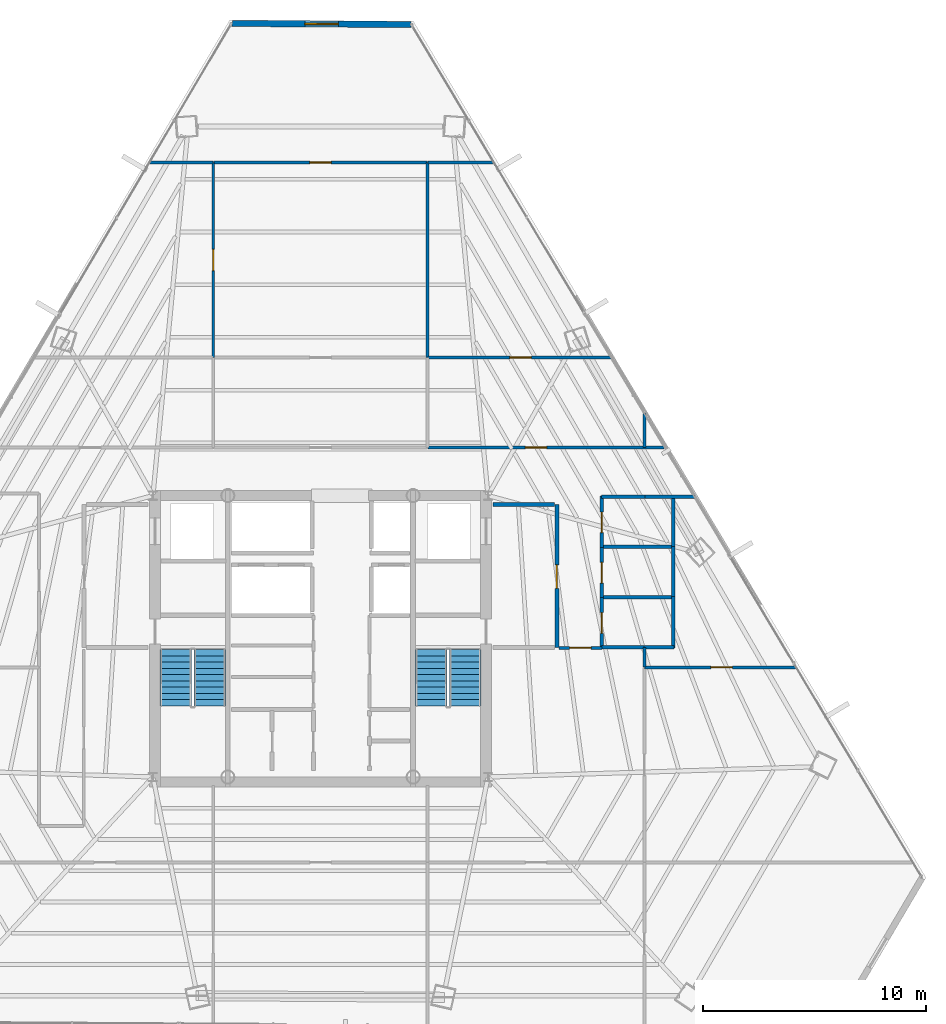
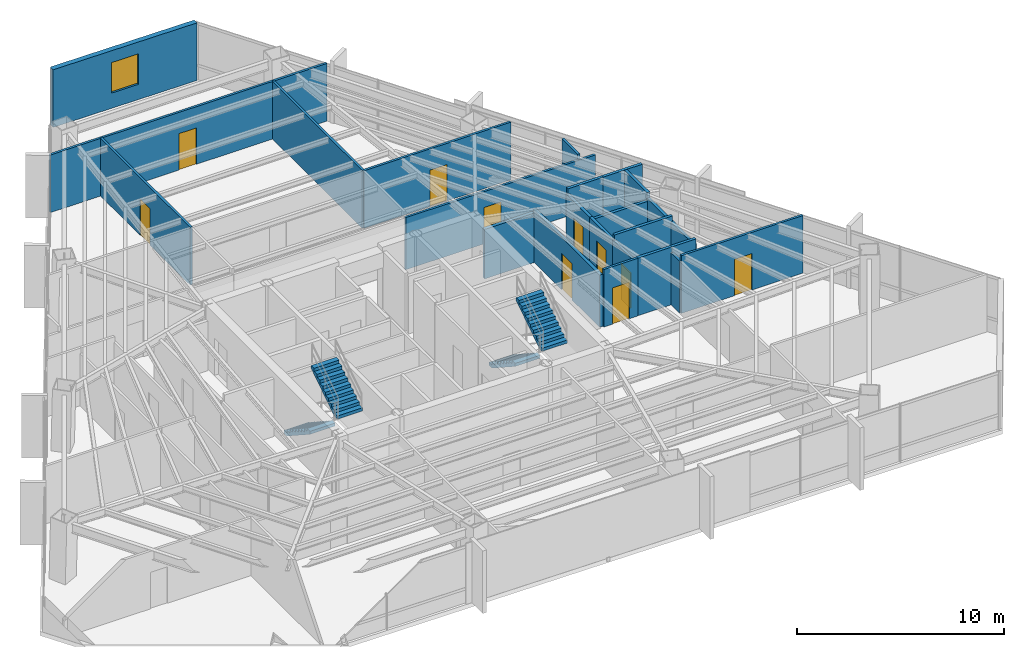
# One storey, part 37 of 41: 26 walls, 10 doors, 4 stair flights, 1 window, 11 openings, 2 elements without a shape of their own.
"""IFC4 building model written with IfcOpenShell, lengths in metres."""

import ifcopenshell
import ifcopenshell.guid

model = None  # the IFC model being written
_history = None  # IfcOwnerHistory: only IFC2X3 demands one
_inside = {}  # id of a spatial element -> (the spatial element, [elements in it])
_under = {}  # id of a project, library or spatial element -> (it, [spatial elements below it])
_declared = {}  # id of a project -> (the project, [libraries it declares])
_typed = {}  # id of a type object -> (the type object, [elements of that type])
_made_of = {}  # id of a material, layer set ... -> (it, [elements and type objects made of it])


def new_model(schema):
    """Start an empty IFC model of exactly this schema.

    Asked for "IFC4X3", IfcOpenShell would pick the latest addendum, in which some entities
    have other attributes; the version numbers below select the first issue.
    IFC2X3 requires an IfcOwnerHistory on every rooted entity: one is made here for all.
    """
    global model, _history
    if schema == "IFC4X3":
        model = ifcopenshell.file(schema_version=(4, 3, 0, 0))
    else:
        model = ifcopenshell.file(schema=schema)
    _inside.clear()
    _under.clear()
    _declared.clear()
    _typed.clear()
    _made_of.clear()
    _history = None
    if model.schema == "IFC2X3":
        org = make("IfcOrganization", Name="unknown")
        user = make(
            "IfcPersonAndOrganization",
            ThePerson=make("IfcPerson", FamilyName="unknown"),
            TheOrganization=org,
        )
        app = make(
            "IfcApplication",
            ApplicationDeveloper=org,
            Version="unknown",
            ApplicationFullName="unknown",
            ApplicationIdentifier="unknown",
        )
        _history = make(
            "IfcOwnerHistory",
            OwningUser=user,
            OwningApplication=app,
            ChangeAction="ADDED",
            CreationDate=0,
        )
    return model


def make(cls, **values):
    """One entity of the class cls with the attributes given. An attribute that is None is left unset."""
    return model.create_entity(
        cls, **{name: value for name, value in values.items() if value is not None}
    )


def rooted(cls, **values):
    """An entity with a GlobalId (a new one), such as an element, a storey or a relation."""
    return make(cls, GlobalId=ifcopenshell.guid.new(), OwnerHistory=_history, **values)


def si_unit(unit_type, name, prefix=None):
    """IfcSIUnit, for example si_unit("LENGTHUNIT", "METRE", prefix="MILLI")."""
    return make("IfcSIUnit", UnitType=unit_type, Prefix=prefix, Name=name)


def assignment(units):
    """IfcUnitAssignment: the units of a project."""
    return None if units is None else make("IfcUnitAssignment", Units=units)


def point(xyz):
    """IfcCartesianPoint."""
    return None if xyz is None else make("IfcCartesianPoint", Coordinates=xyz)


def direction(xyz):
    """IfcDirection."""
    return None if xyz is None else make("IfcDirection", DirectionRatios=xyz)


def frame(location, z_axis=None, x_axis=None):
    """IfcAxis2Placement3D, a coordinate frame: its origin and axes. An axis left out is left unset."""
    return make(
        "IfcAxis2Placement3D",
        Location=point(location),
        Axis=direction(z_axis),
        RefDirection=direction(x_axis),
    )


def frame_2d(location, x_axis=None):
    """IfcAxis2Placement2D, a coordinate frame in the plane: its origin and x axis."""
    return make(
        "IfcAxis2Placement2D", Location=point(location), RefDirection=direction(x_axis)
    )


def origin():
    """The frame at (0, 0, 0) with its axes left unset."""
    return frame((0.0, 0.0, 0.0))


def place(relative_to, where):
    """IfcLocalPlacement: puts the frame where relative to a parent placement (None: the world)."""
    return make(
        "IfcLocalPlacement", PlacementRelTo=relative_to, RelativePlacement=where
    )


def context(
    kind, dimensions, precision=None, world=None, true_north=None, identifier=None
):
    """IfcGeometricRepresentationContext, for example the 3D "Model" context."""
    return make(
        "IfcGeometricRepresentationContext",
        ContextIdentifier=identifier,
        ContextType=kind,
        CoordinateSpaceDimension=dimensions,
        Precision=precision,
        WorldCoordinateSystem=world,
        TrueNorth=true_north,
    )


def subcontext(parent, identifier, kind, view, scale=None):
    """IfcGeometricRepresentationSubContext, for example "Body" below "Model"."""
    return make(
        "IfcGeometricRepresentationSubContext",
        ContextIdentifier=identifier,
        ContextType=kind,
        ParentContext=parent,
        TargetScale=scale,
        TargetView=view,
    )


def project(units=None, contexts=None):
    """IfcProject with its units and contexts."""
    return rooted(
        "IfcProject",
        Name="project",
        RepresentationContexts=contexts,
        UnitsInContext=assignment(units),
    )


def spatial(cls, under=None, at=None, **own):
    """A site, building, storey or space (cls), placed at a placement, below another one or the project."""
    s = rooted(cls, ObjectPlacement=at, **own)
    if under is not None:
        _under.setdefault(under.id(), (under, []))[1].append(s)
    return s


def polyline(points):
    """IfcPolyline through the points."""
    return make("IfcPolyline", Points=[point(p) for p in points])


def profile(cls, at=None, kind="AREA", **sizes):
    """A parametric profile (cls). Its sizes go by their IFC names, for example OverallWidth=200.0."""
    return make(cls, ProfileType=kind, Position=at, **sizes)


def rectangle(**sizes):
    """IfcRectangleProfileDef."""
    return profile("IfcRectangleProfileDef", **sizes)


def outline(outer, holes=None, kind="AREA"):
    """IfcArbitraryClosedProfileDef: a profile drawn as a closed curve; with holes, ...WithVoids."""
    if holes is None:
        return make("IfcArbitraryClosedProfileDef", ProfileType=kind, OuterCurve=outer)
    return make(
        "IfcArbitraryProfileDefWithVoids",
        ProfileType=kind,
        OuterCurve=outer,
        InnerCurves=holes,
    )


def extrude(swept, where, along, depth):
    """IfcExtrudedAreaSolid: the profile swept, set in the frame where, extruded along a direction by depth."""
    return make(
        "IfcExtrudedAreaSolid",
        SweptArea=swept,
        Position=where,
        ExtrudedDirection=direction(along),
        Depth=depth,
    )


def shape(context_of_items, identifier, shape_type, items):
    """IfcShapeRepresentation: the items that make up one representation, for example the "Body"."""
    return make(
        "IfcShapeRepresentation",
        ContextOfItems=context_of_items,
        RepresentationIdentifier=identifier,
        RepresentationType=shape_type,
        Items=items,
    )


def material(Name=None, Category=None):
    """IfcMaterial."""
    return make("IfcMaterial", Name=Name, Category=Category)


def layer(
    of_material, thickness, ventilated=None, Name=None, Category=None, Priority=None
):
    """IfcMaterialLayer: one layer of a wall or slab, of a material (None: an air gap)."""
    return make(
        "IfcMaterialLayer",
        Material=of_material,
        LayerThickness=thickness,
        IsVentilated=ventilated,
        Name=Name,
        Category=Category,
        Priority=Priority,
    )


def layer_set(layers, Name=None):
    """IfcMaterialLayerSet."""
    return make("IfcMaterialLayerSet", MaterialLayers=layers, LayerSetName=Name)


def made_of(thing, what):
    """Note that an element or type object is made of a material, layer set ...; save() writes the relation."""
    if what is not None:
        _made_of.setdefault(what.id(), (what, []))[1].append(thing)
    return thing


def type_object(cls, material=None, **own):
    """A type object (cls), such as IfcWallType, which elements share."""
    return made_of(rooted(cls, **own), material)


def element(
    cls,
    number,
    at=None,
    inside=None,
    cuts=None,
    type_object=None,
    material=None,
    context=None,
    identifier="Body",
    shape_type=None,
    held_by="IfcProductDefinitionShape",
    body=None,
    shapes=None,
    **own,
):
    """One element of the class cls, such as IfcWall. Its Tag is "e" and its number.

    at: its placement. inside: the storey or other place that contains it. cuts: it is an
    opening in that element (IfcRelVoidsElement). A single representation is given by context,
    identifier, shape_type and body (its items); several are given by shapes. held_by: the class
    of the entity that holds the representations. save() writes the other relations.
    """
    e = rooted(cls, Tag="e%d" % number, ObjectPlacement=at, **own)
    if body is not None:
        shapes = [shape(context, identifier, shape_type, body)]
    if shapes is not None:
        e.Representation = make(held_by, Representations=shapes)
    if inside is not None:
        _inside.setdefault(inside.id(), (inside, []))[1].append(e)
    if cuts is not None:
        rooted(
            "IfcRelVoidsElement", RelatingBuildingElement=cuts, RelatedOpeningElement=e
        )
    if type_object is not None:
        _typed.setdefault(type_object.id(), (type_object, []))[1].append(e)
    return made_of(e, material)


def fill(opening, filler):
    """IfcRelFillsElement: the door or window that sits in an opening."""
    return rooted(
        "IfcRelFillsElement",
        RelatingOpeningElement=opening,
        RelatedBuildingElement=filler,
    )


def aggregate(whole, parts):
    """IfcRelAggregates: a whole, such as a stair, and the parts it consists of."""
    return rooted("IfcRelAggregates", RelatingObject=whole, RelatedObjects=parts)


def save(model, path):
    """Write the relations noted so far, then the file.

    IfcRelAggregates (storeys below a building ...), IfcRelContainedInSpatialStructure (elements
    in a storey), IfcRelDefinesByType, IfcRelAssociatesMaterial and IfcRelDeclares: one each for
    every whole, place, type object, material and project.
    """
    for whole, parts in _under.values():
        aggregate(whole, parts)
    for where, things in _inside.values():
        rooted(
            "IfcRelContainedInSpatialStructure",
            RelatedElements=things,
            RelatingStructure=where,
        )
    for kind, things in _typed.values():
        rooted("IfcRelDefinesByType", RelatedObjects=things, RelatingType=kind)
    for what, things in _made_of.values():
        rooted("IfcRelAssociatesMaterial", RelatedObjects=things, RelatingMaterial=what)
    for by, libraries in _declared.values():
        rooted("IfcRelDeclares", RelatingContext=by, RelatedDefinitions=libraries)
    model.write(path)


model = new_model("IFC4")

# Units and contexts
model_context = context("Model", 3, precision=1e-05, world=origin(), true_north=direction((0.0, 1.0)))
body_context = subcontext(model_context, "Body", "Model", "MODEL_VIEW")
ifc_project = project(units=[si_unit("LENGTHUNIT", "METRE"), si_unit("AREAUNIT", "SQUARE_METRE"), si_unit("VOLUMEUNIT", "CUBIC_METRE"), si_unit("PLANEANGLEUNIT", "RADIAN"), si_unit("MASSUNIT", "GRAM", prefix="KILO")], contexts=[model_context])

# Site, building, storey
site_placement = place(None, origin())
site = spatial("IfcSite", under=ifc_project, at=site_placement, CompositionType="ELEMENT")
building_placement = place(site_placement, origin())
building = spatial("IfcBuilding", under=site, at=building_placement, Name="Caelisora Broadcast Tower", CompositionType="ELEMENT")
storey_placement = place(building_placement, frame((0.0, 0.0, 165.800048828125)))
storey = spatial("IfcBuildingStorey", under=building, at=storey_placement, Name="L43", CompositionType="ELEMENT", Elevation=165.800048828125)

# Wall, opening, window
ifc_material_1 = material(Name="Insulated Terracotta Spandrel Wall System", Category="masonry")
ifc_layer_1 = layer(ifc_material_1, 0.280029296875, Name="Insulated Terracotta Spandrel Wall System")
ifc_layer_set_1 = layer_set([ifc_layer_1], Name="Insulated Terracotta Spandrel Wall System")
wall_type_1 = type_object("IfcWallType", Name="EW1", PredefinedType="STANDARD", material=ifc_layer_set_1)
wall_1_placement = place(storey_placement, frame((34.050048828125, 51.138916015625, 0.0), z_axis=(0.0, 0.0, 1.0), x_axis=(0.999979040007, -0.006474530632, 0.0)))
wall_1 = element("IfcWall", 1, at=wall_1_placement, inside=storey, type_object=wall_type_1, Name="L43 exterior envelope wall EW1", PredefinedType="STANDARD", context=body_context, shape_type="SweptSolid", body=[
    extrude(rectangle(XDim=7.994140625, YDim=0.280029296875, at=frame_2d((3.9970703125, 0.0))), origin(), (0.0, 0.0, 1.0), 3.39990234375),
])
opening_1_placement = place(wall_1_placement, frame((3.25, 0.0, 0.89990234375)))
opening_1 = element("IfcOpeningElement", 2, at=opening_1_placement, cuts=wall_1, Name="Opening W02", PredefinedType="OPENING", context=body_context, shape_type="SweptSolid", body=[
    extrude(rectangle(XDim=1.5, YDim=1.800048828125, at=frame_2d((0.75, 0.89990234375))), frame((0.0, 0.152099609375, 0.0), z_axis=(0.0, -1.0, 0.0), x_axis=(1.0, 0.0, 0.0)), (0.0, 0.0, 1.0), 0.303955078125),
])
ifc_material_2 = material(Name="Double Glazed Terracotta-Framed Vision Window", Category="glass")
window_type = type_object("IfcWindowType", Name="W02", PartitioningType="SINGLE_PANEL", PredefinedType="WINDOW", material=ifc_material_2)
window_placement = place(opening_1_placement, origin())
window = element("IfcWindow", 3, at=window_placement, inside=storey, type_object=window_type, Name="L43 window W02 (L43-WN-CH8)", OverallHeight=1.800048828125, OverallWidth=1.5, PartitioningType="SINGLE_PANEL", PredefinedType="WINDOW", context=body_context, shape_type="SweptSolid", body=[
    extrude(rectangle(XDim=1.5, YDim=1.800048828125, at=frame_2d((0.75, 0.89990234375))), frame((0.0, 0.030029296875, 0.0), z_axis=(0.0, -1.0, 0.0), x_axis=(1.0, 0.0, 0.0)), (0.0, 0.0, 1.0), 0.06005859375),
])
fill(opening_1, window)

# Wall, opening, door
ifc_material_3 = material(Name="Fire-Rated Gypsum Shaft and Compartment Wall", Category="gypsum")
ifc_layer_2 = layer(ifc_material_3, 0.179931640625, Name="Fire-Rated Gypsum Shaft and Compartment Wall")
ifc_layer_set_2 = layer_set([ifc_layer_2], Name="Fire-Rated Gypsum Shaft and Compartment Wall")
wall_type_2 = type_object("IfcWallType", Name="PW2", PredefinedType="PARTITIONING", material=ifc_layer_set_2)
wall_2_placement = place(storey_placement, frame((48.580078125, 23.199951171875, 0.0), z_axis=(0.0, 0.0, 1.0), x_axis=(0.0, 1.0, 0.0)))
wall_2 = element("IfcWall", 4, at=wall_2_placement, inside=storey, type_object=wall_type_2, Name="L43 fire compartment wall PW2", PredefinedType="PARTITIONING", context=body_context, shape_type="SweptSolid", body=[
    extrude(rectangle(XDim=6.400146484375, YDim=0.179931640625, at=frame_2d((3.2001953125, 0.0))), origin(), (0.0, 0.0, 1.0), 3.07763671875),
])
opening_2_placement = place(wall_2_placement, frame((2.64990234375, 0.0, 0.0)))
opening_2 = element("IfcOpeningElement", 5, at=opening_2_placement, cuts=wall_2, Name="Opening FD02", PredefinedType="OPENING", context=body_context, shape_type="SweptSolid", body=[
    extrude(rectangle(XDim=1.050048828125, YDim=2.14990234375, at=frame_2d((0.52490234375, 1.074951171875))), frame((0.0, 0.10205078125, 0.0), z_axis=(0.0, -1.0, 0.0), x_axis=(1.0, 0.0, 0.0)), (0.0, 0.0, 1.0), 0.203857421875),
])
ifc_material_4 = material(Name="Single-Leaf Steel Fire Lobby Door", Category="steel")
door_type_1 = type_object("IfcDoorType", Name="FD02", OperationType="NOTDEFINED", PredefinedType="DOOR", material=ifc_material_4)
door_1_placement = place(opening_2_placement, origin())
door_1 = element("IfcDoor", 6, at=door_1_placement, inside=storey, type_object=door_type_1, Name="L43 door FD02 (L43-DR-P04D1)", OperationType="SINGLE_SWING_RIGHT", OverallHeight=2.14990234375, OverallWidth=1.050048828125, PredefinedType="DOOR", context=body_context, shape_type="SweptSolid", body=[
    extrude(rectangle(XDim=1.050048828125, YDim=2.14990234375, at=frame_2d((0.52490234375, 1.074951171875))), frame((0.0, 0.02490234375, 0.0), z_axis=(0.0, -1.0, 0.0), x_axis=(1.0, 0.0, 0.0)), (0.0, 0.0, 1.0), 0.050048828125),
])
fill(opening_2, door_1)

# Wall
wall_3_placement = place(storey_placement, frame((45.719970703125, 29.60009765625, 0.0), z_axis=(0.0, 0.0, 1.0), x_axis=(1.0, 0.0, 0.0)))
element("IfcWall", 7, at=wall_3_placement, inside=storey, type_object=wall_type_2, Name="L43 fire compartment wall PW2", PredefinedType="PARTITIONING", context=body_context, shape_type="SweptSolid", body=[
    extrude(rectangle(XDim=2.760009765625, YDim=0.179931640625, at=frame_2d((1.3798828125, 0.0))), origin(), (0.0, 0.0, 1.0), 2.924560546875),
])

# Wall, opening, door
ifc_material_5 = material(Name="Acoustic Steel-Stud Plasterboard Partition", Category="gypsum")
ifc_layer_3 = layer(ifc_material_5, 0.1298828125, Name="Acoustic Steel-Stud Plasterboard Partition")
ifc_layer_set_3 = layer_set([ifc_layer_3], Name="Acoustic Steel-Stud Plasterboard Partition")
wall_type_3 = type_object("IfcWallType", Name="PW3", PredefinedType="PARTITIONING", material=ifc_layer_set_3)
wall_4_placement = place(storey_placement, frame((42.804931640625, 32.14990234375, 0.0), z_axis=(0.0, 0.0, 1.0), x_axis=(1.0, 0.0, 0.0)))
wall_4 = element("IfcWall", 8, at=wall_4_placement, inside=storey, type_object=wall_type_3, Name="L43 internal partition PW3", PredefinedType="PARTITIONING", context=body_context, shape_type="SweptSolid", body=[
    extrude(rectangle(XDim=10.58447265625, YDim=0.1298828125, at=frame_2d((5.292236328125, 0.0))), origin(), (0.0, 0.0, 1.0), 3.07763671875),
])
opening_3_placement = place(wall_4_placement, frame((4.364990234375, 0.0, 0.0)))
opening_3 = element("IfcOpeningElement", 9, at=opening_3_placement, cuts=wall_4, Name="Opening D01", PredefinedType="OPENING", context=body_context, shape_type="SweptSolid", body=[
    extrude(rectangle(XDim=0.9599609375, YDim=2.14990234375, at=frame_2d((0.47998046875, 1.074951171875))), frame((0.0, 0.076904296875, 0.0), z_axis=(0.0, -1.0, 0.0), x_axis=(1.0, 0.0, 0.0)), (0.0, 0.0, 1.0), 0.15380859375),
])
ifc_material_6 = material(Name="Solid-Core Timber Acoustic Office Door", Category="wood")
door_type_2 = type_object("IfcDoorType", Name="D01", OperationType="NOTDEFINED", PredefinedType="DOOR", material=ifc_material_6)
door_2_placement = place(opening_3_placement, origin())
door_2 = element("IfcDoor", 10, at=door_2_placement, inside=storey, type_object=door_type_2, Name="L43 door D01 (L43-DR-P35D1)", OperationType="SINGLE_SWING_RIGHT", OverallHeight=2.14990234375, OverallWidth=0.9599609375, PredefinedType="DOOR", context=body_context, shape_type="SweptSolid", body=[
    extrude(rectangle(XDim=0.9599609375, YDim=2.14990234375, at=frame_2d((0.47998046875, 1.074951171875))), frame((0.0, 0.02490234375, 0.0), z_axis=(0.0, -1.0, 0.0), x_axis=(1.0, 0.0, 0.0)), (0.0, 0.0, 1.0), 0.050048828125),
])
fill(opening_3, door_2)

wall_5_placement = place(storey_placement, frame((33.205078125, 44.909912109375, 0.0), z_axis=(0.0, 0.0, 1.0), x_axis=(1.0, 0.0, 0.0)))
wall_5 = element("IfcWall", 11, at=wall_5_placement, inside=storey, type_object=wall_type_3, Name="L43 internal partition PW3", PredefinedType="PARTITIONING", context=body_context, shape_type="SweptSolid", body=[
    extrude(rectangle(XDim=9.58984375, YDim=0.1298828125, at=frame_2d((4.794921875, 0.0))), origin(), (0.0, 0.0, 1.0), 3.39990234375),
])
opening_4_placement = place(wall_5_placement, frame((4.31494140625, 0.0, 0.0)))
opening_4 = element("IfcOpeningElement", 12, at=opening_4_placement, cuts=wall_5, Name="Opening D01", PredefinedType="OPENING", context=body_context, shape_type="SweptSolid", body=[
    extrude(rectangle(XDim=0.9599609375, YDim=2.14990234375, at=frame_2d((0.47998046875, 1.074951171875))), frame((0.0, 0.076904296875, 0.0), z_axis=(0.0, -1.0, 0.0), x_axis=(1.0, 0.0, 0.0)), (0.0, 0.0, 1.0), 0.15380859375),
])
door_3_placement = place(opening_4_placement, origin())
door_3 = element("IfcDoor", 13, at=door_3_placement, inside=storey, type_object=door_type_2, Name="L43 door D01 (L43-DR-P40D1)", OperationType="SINGLE_SWING_LEFT", OverallHeight=2.14990234375, OverallWidth=0.9599609375, PredefinedType="DOOR", context=body_context, shape_type="SweptSolid", body=[
    extrude(rectangle(XDim=0.9599609375, YDim=2.14990234375, at=frame_2d((0.47998046875, 1.074951171875))), frame((0.0, 0.02490234375, 0.0), z_axis=(0.0, -1.0, 0.0), x_axis=(1.0, 0.0, 0.0)), (0.0, 0.0, 1.0), 0.050048828125),
])
fill(opening_4, door_3)

# Wall
wall_6_placement = place(storey_placement, frame((42.800048828125, 36.18505859375, 0.0), z_axis=(0.0, 0.0, 1.0), x_axis=(0.0, 1.0, 0.0)))
element("IfcWall", 14, at=wall_6_placement, inside=storey, type_object=wall_type_3, Name="L43 internal partition PW3", PredefinedType="PARTITIONING", context=body_context, shape_type="SweptSolid", body=[
    extrude(rectangle(XDim=8.719970703125, YDim=0.1298828125, at=frame_2d((4.35986328125, 0.0))), origin(), (0.0, 0.0, 1.0), 3.39990234375),
])

# Wall, opening, door
wall_7_placement = place(storey_placement, frame((33.199951171875, 36.18505859375, 0.0), z_axis=(0.0, 0.0, 1.0), x_axis=(0.0, 1.0, 0.0)))
wall_7 = element("IfcWall", 15, at=wall_7_placement, inside=storey, type_object=wall_type_3, Name="L43 internal partition PW3", PredefinedType="PARTITIONING", context=body_context, shape_type="SweptSolid", body=[
    extrude(rectangle(XDim=8.719970703125, YDim=0.1298828125, at=frame_2d((4.35986328125, 0.0))), origin(), (0.0, 0.0, 1.0), 3.39990234375),
])
opening_5_placement = place(wall_7_placement, frame((3.8798828125, 0.0, 0.0)))
opening_5 = element("IfcOpeningElement", 16, at=opening_5_placement, cuts=wall_7, Name="Opening D01", PredefinedType="OPENING", context=body_context, shape_type="SweptSolid", body=[
    extrude(rectangle(XDim=0.9599609375, YDim=2.14990234375, at=frame_2d((0.47998046875, 1.074951171875))), frame((0.0, 0.076904296875, 0.0), z_axis=(0.0, -1.0, 0.0), x_axis=(1.0, 0.0, 0.0)), (0.0, 0.0, 1.0), 0.15380859375),
])
door_4_placement = place(opening_5_placement, origin())
door_4 = element("IfcDoor", 17, at=door_4_placement, inside=storey, type_object=door_type_2, Name="L43 door D01 (L43-DR-P45D1)", OperationType="SINGLE_SWING_LEFT", OverallHeight=2.14990234375, OverallWidth=0.9599609375, PredefinedType="DOOR", context=body_context, shape_type="SweptSolid", body=[
    extrude(rectangle(XDim=0.9599609375, YDim=2.14990234375, at=frame_2d((0.47998046875, 1.074951171875))), frame((0.0, 0.02490234375, 0.0), z_axis=(0.0, -1.0, 0.0), x_axis=(1.0, 0.0, 0.0)), (0.0, 0.0, 1.0), 0.050048828125),
])
fill(opening_5, door_4)

wall_8_placement = place(storey_placement, frame((42.804931640625, 36.179931640625, 0.0), z_axis=(0.0, 0.0, 1.0), x_axis=(1.0, 0.0, 0.0)))
wall_8 = element("IfcWall", 18, at=wall_8_placement, inside=storey, type_object=wall_type_3, Name="L43 internal partition PW3", PredefinedType="PARTITIONING", context=body_context, shape_type="SweptSolid", body=[
    extrude(rectangle(XDim=8.19775390625, YDim=0.1298828125, at=frame_2d((4.098876953125, 0.0))), origin(), (0.0, 0.0, 1.0), 3.39990234375),
])
opening_6_placement = place(wall_8_placement, frame((3.677001953125, 0.0, 0.0)))
opening_6 = element("IfcOpeningElement", 19, at=opening_6_placement, cuts=wall_8, Name="Opening D01", PredefinedType="OPENING", context=body_context, shape_type="SweptSolid", body=[
    extrude(rectangle(XDim=0.9599609375, YDim=2.14990234375, at=frame_2d((0.47998046875, 1.074951171875))), frame((0.0, 0.076904296875, 0.0), z_axis=(0.0, -1.0, 0.0), x_axis=(1.0, 0.0, 0.0)), (0.0, 0.0, 1.0), 0.15380859375),
])
door_5_placement = place(opening_6_placement, origin())
door_5 = element("IfcDoor", 20, at=door_5_placement, inside=storey, type_object=door_type_2, Name="L43 door D01 (L43-DR-P47D1)", OperationType="SINGLE_SWING_RIGHT", OverallHeight=2.14990234375, OverallWidth=0.9599609375, PredefinedType="DOOR", context=body_context, shape_type="SweptSolid", body=[
    extrude(rectangle(XDim=0.9599609375, YDim=2.14990234375, at=frame_2d((0.47998046875, 1.074951171875))), frame((0.0, 0.02490234375, 0.0), z_axis=(0.0, -1.0, 0.0), x_axis=(1.0, 0.0, 0.0)), (0.0, 0.0, 1.0), 0.050048828125),
])
fill(opening_6, door_5)

wall_9_placement = place(storey_placement, frame((52.5048828125, 22.31005859375, 0.0), z_axis=(0.0, 0.0, 1.0), x_axis=(1.0, 0.0, 0.0)))
wall_9 = element("IfcWall", 21, at=wall_9_placement, inside=storey, type_object=wall_type_3, Name="L43 internal partition PW3", PredefinedType="PARTITIONING", context=body_context, shape_type="SweptSolid", body=[
    extrude(rectangle(XDim=6.800537109375, YDim=0.1298828125, at=frame_2d((3.400390625, 0.0))), origin(), (0.0, 0.0, 1.0), 3.39990234375),
])
opening_7_placement = place(wall_9_placement, frame((2.971923828125, 0.0, 0.0)))
opening_7 = element("IfcOpeningElement", 22, at=opening_7_placement, cuts=wall_9, Name="Opening D01", PredefinedType="OPENING", context=body_context, shape_type="SweptSolid", body=[
    extrude(rectangle(XDim=0.9599609375, YDim=2.14990234375, at=frame_2d((0.47998046875, 1.074951171875))), frame((0.0, 0.076904296875, 0.0), z_axis=(0.0, -1.0, 0.0), x_axis=(1.0, 0.0, 0.0)), (0.0, 0.0, 1.0), 0.15380859375),
])
door_6_placement = place(opening_7_placement, origin())
door_6 = element("IfcDoor", 23, at=door_6_placement, inside=storey, type_object=door_type_2, Name="L43 door D01 (L43-DR-P57D1)", OperationType="SINGLE_SWING_RIGHT", OverallHeight=2.14990234375, OverallWidth=0.9599609375, PredefinedType="DOOR", context=body_context, shape_type="SweptSolid", body=[
    extrude(rectangle(XDim=0.9599609375, YDim=2.14990234375, at=frame_2d((0.47998046875, 1.074951171875))), frame((0.0, 0.02490234375, 0.0), z_axis=(0.0, -1.0, 0.0), x_axis=(1.0, 0.0, 0.0)), (0.0, 0.0, 1.0), 0.050048828125),
])
fill(opening_7, door_6)

# Walls
wall_10_placement = place(storey_placement, frame((42.804931640625, 44.909912109375, 0.0), z_axis=(0.0, 0.0, 1.0), x_axis=(1.0, 0.0, 0.0)))
element("IfcWall", 24, at=wall_10_placement, inside=storey, type_object=wall_type_3, Name="L43 internal partition PW3", PredefinedType="PARTITIONING", context=body_context, shape_type="SweptSolid", body=[
    extrude(rectangle(XDim=2.971923828125, YDim=0.1298828125, at=frame_2d((1.48583984375, 0.0))), origin(), (0.0, 0.0, 1.0), 3.39990234375),
])
wall_11_placement = place(storey_placement, frame((30.3408203125, 44.909912109375, 0.0), z_axis=(0.0, 0.0, 1.0), x_axis=(1.0, 0.0, 0.0)))
element("IfcWall", 25, at=wall_11_placement, inside=storey, type_object=wall_type_3, Name="L43 internal partition PW3", PredefinedType="PARTITIONING", context=body_context, shape_type="SweptSolid", body=[
    extrude(rectangle(XDim=2.854248046875, YDim=0.1298828125, at=frame_2d((1.42724609375, 0.0))), origin(), (0.0, 0.0, 1.0), 3.39990234375),
])

# Wall, opening, door
wall_12_placement = place(storey_placement, frame((48.675048828125, 23.179931640625, 0.0), z_axis=(0.0, 0.0, 1.0), x_axis=(1.0, 0.0, 0.0)))
wall_12 = element("IfcWall", 26, at=wall_12_placement, inside=storey, type_object=wall_type_3, Name="L43 internal partition PW3", PredefinedType="PARTITIONING", context=body_context, shape_type="SweptSolid", body=[
    extrude(rectangle(XDim=1.919921875, YDim=0.1298828125, at=frame_2d((0.9599609375, 0.0))), origin(), (0.0, 0.0, 1.0), 3.39990234375),
])
opening_8_placement = place(wall_12_placement, frame((0.47998046875, 0.0, 0.0)))
opening_8 = element("IfcOpeningElement", 27, at=opening_8_placement, cuts=wall_12, Name="Opening D01", PredefinedType="OPENING", context=body_context, shape_type="SweptSolid", body=[
    extrude(rectangle(XDim=0.9599609375, YDim=2.14990234375, at=frame_2d((0.47998046875, 1.074951171875))), frame((0.0, 0.076904296875, 0.0), z_axis=(0.0, -1.0, 0.0), x_axis=(1.0, 0.0, 0.0)), (0.0, 0.0, 1.0), 0.15380859375),
])
door_7_placement = place(opening_8_placement, origin())
door_7 = element("IfcDoor", 28, at=door_7_placement, inside=storey, type_object=door_type_2, Name="L43 door D01 (L43-DR-P66D1)", OperationType="SINGLE_SWING_LEFT", OverallHeight=2.14990234375, OverallWidth=0.9599609375, PredefinedType="DOOR", context=body_context, shape_type="SweptSolid", body=[
    extrude(rectangle(XDim=0.9599609375, YDim=2.14990234375, at=frame_2d((0.47998046875, 1.074951171875))), frame((0.0, 0.02490234375, 0.0), z_axis=(0.0, -1.0, 0.0), x_axis=(1.0, 0.0, 0.0)), (0.0, 0.0, 1.0), 0.050048828125),
])
fill(opening_8, door_7)

# Walls
wall_13_placement = place(storey_placement, frame((52.5, 32.155029296875, 0.0), z_axis=(0.0, 0.0, 1.0), x_axis=(0.0, 1.0, 0.0)))
element("IfcWall", 29, at=wall_13_placement, inside=storey, type_object=wall_type_3, Name="L43 internal partition PW3", PredefinedType="PARTITIONING", context=body_context, shape_type="SweptSolid", body=[
    extrude(rectangle(XDim=1.523681640625, YDim=0.1298828125, at=frame_2d((0.76171875, 0.0))), origin(), (0.0, 0.0, 1.0), 3.39990234375),
])
wall_14_placement = place(storey_placement, frame((52.5, 22.31494140625, 0.0), z_axis=(0.0, 0.0, 1.0), x_axis=(0.0, 1.0, 0.0)))
element("IfcWall", 30, at=wall_14_placement, inside=storey, type_object=wall_type_3, Name="L43 internal partition PW3", PredefinedType="PARTITIONING", context=body_context, shape_type="SweptSolid", body=[
    extrude(rectangle(XDim=0.880126953125, YDim=0.1298828125, at=frame_2d((0.43994140625, 0.0))), origin(), (0.0, 0.0, 1.0), 3.07763671875),
])
ifc_material_7 = material(Name="Moisture-Resistant Wet Plumbing Service Wall", Category="gypsum")
ifc_layer_4 = layer(ifc_material_7, 0.159912109375, Name="Moisture-Resistant Wet Plumbing Service Wall")
ifc_layer_set_4 = layer_set([ifc_layer_4], Name="Moisture-Resistant Wet Plumbing Service Wall")
wall_type_4 = type_object("IfcWallType", Name="PW4", PredefinedType="PLUMBINGWALL", material=ifc_layer_set_4)
wall_15_placement = place(storey_placement, frame((50.574951171875, 25.449951171875, 0.0), z_axis=(0.0, 0.0, 1.0), x_axis=(1.0, 0.0, 0.0)))
element("IfcWall", 31, at=wall_15_placement, inside=storey, type_object=wall_type_4, Name="L43 wet plumbing wall PW4", PredefinedType="PLUMBINGWALL", context=body_context, shape_type="SweptSolid", body=[
    extrude(rectangle(XDim=3.25, YDim=0.159912109375, at=frame_2d((1.625, 0.0))), origin(), (0.0, 0.0, 1.0), 3.39990234375),
])
wall_16_placement = place(storey_placement, frame((50.574951171875, 27.699951171875, 0.0), z_axis=(0.0, 0.0, 1.0), x_axis=(1.0, 0.0, 0.0)))
element("IfcWall", 32, at=wall_16_placement, inside=storey, type_object=wall_type_4, Name="L43 wet plumbing wall PW4", PredefinedType="PLUMBINGWALL", context=body_context, shape_type="SweptSolid", body=[
    extrude(rectangle(XDim=3.25, YDim=0.159912109375, at=frame_2d((1.625, 0.0))), origin(), (0.0, 0.0, 1.0), 2.924560546875),
])

# Wall, opening, door
wall_17_placement = place(storey_placement, frame((50.60009765625, 27.675048828125, 0.0), z_axis=(0.0, 0.0, 1.0), x_axis=(0.0, 1.0, 0.0)))
wall_17 = element("IfcWall", 33, at=wall_17_placement, inside=storey, type_object=wall_type_4, Name="L43 wet plumbing wall PW4", PredefinedType="PLUMBINGWALL", context=body_context, shape_type="SweptSolid", body=[
    extrude(rectangle(XDim=2.300048828125, YDim=0.159912109375, at=frame_2d((1.14990234375, 0.0))), origin(), (0.0, 0.0, 1.0), 3.07763671875),
])
opening_9_placement = place(wall_17_placement, frame((0.659912109375, 0.0, 0.0)))
opening_9 = element("IfcOpeningElement", 34, at=opening_9_placement, cuts=wall_17, Name="Opening D03", PredefinedType="OPENING", context=body_context, shape_type="SweptSolid", body=[
    extrude(rectangle(XDim=0.919921875, YDim=2.10009765625, at=frame_2d((0.4599609375, 1.050048828125))), frame((0.0, 0.092041015625, 0.0), z_axis=(0.0, -1.0, 0.0), x_axis=(1.0, 0.0, 0.0)), (0.0, 0.0, 1.0), 0.183837890625),
])
ifc_material_8 = material(Name="Laminate Moisture-Resistant Amenity WC Door", Category="wood")
door_type_3 = type_object("IfcDoorType", Name="D03", OperationType="NOTDEFINED", PredefinedType="DOOR", material=ifc_material_8)
door_8_placement = place(opening_9_placement, origin())
door_8 = element("IfcDoor", 35, at=door_8_placement, inside=storey, type_object=door_type_3, Name="L43 door D03 (L43-DR-P21D1)", OperationType="SINGLE_SWING_LEFT", OverallHeight=2.10009765625, OverallWidth=0.919921875, PredefinedType="DOOR", context=body_context, shape_type="SweptSolid", body=[
    extrude(rectangle(XDim=0.919921875, YDim=2.10009765625, at=frame_2d((0.4599609375, 1.050048828125))), frame((0.0, 0.02490234375, 0.0), z_axis=(0.0, -1.0, 0.0), x_axis=(1.0, 0.0, 0.0)), (0.0, 0.0, 1.0), 0.050048828125),
])
fill(opening_9, door_8)

wall_18_placement = place(storey_placement, frame((50.60009765625, 25.425048828125, 0.0), z_axis=(0.0, 0.0, 1.0), x_axis=(0.0, 1.0, 0.0)))
wall_18 = element("IfcWall", 36, at=wall_18_placement, inside=storey, type_object=wall_type_4, Name="L43 wet plumbing wall PW4", PredefinedType="PLUMBINGWALL", context=body_context, shape_type="SweptSolid", body=[
    extrude(rectangle(XDim=2.300048828125, YDim=0.159912109375, at=frame_2d((1.14990234375, 0.0))), origin(), (0.0, 0.0, 1.0), 3.07763671875),
])
opening_10_placement = place(wall_18_placement, frame((0.659912109375, 0.0, 0.0)))
opening_10 = element("IfcOpeningElement", 37, at=opening_10_placement, cuts=wall_18, Name="Opening D03", PredefinedType="OPENING", context=body_context, shape_type="SweptSolid", body=[
    extrude(rectangle(XDim=0.919921875, YDim=2.10009765625, at=frame_2d((0.4599609375, 1.050048828125))), frame((0.0, 0.092041015625, 0.0), z_axis=(0.0, -1.0, 0.0), x_axis=(1.0, 0.0, 0.0)), (0.0, 0.0, 1.0), 0.183837890625),
])
door_9_placement = place(opening_10_placement, origin())
door_9 = element("IfcDoor", 38, at=door_9_placement, inside=storey, type_object=door_type_3, Name="L43 door D03 (L43-DR-P22D1)", OperationType="SINGLE_SWING_RIGHT", OverallHeight=2.10009765625, OverallWidth=0.919921875, PredefinedType="DOOR", context=body_context, shape_type="SweptSolid", body=[
    extrude(rectangle(XDim=0.919921875, YDim=2.10009765625, at=frame_2d((0.4599609375, 1.050048828125))), frame((0.0, 0.02490234375, 0.0), z_axis=(0.0, -1.0, 0.0), x_axis=(1.0, 0.0, 0.0)), (0.0, 0.0, 1.0), 0.050048828125),
])
fill(opening_10, door_9)

wall_19_placement = place(storey_placement, frame((50.60009765625, 23.175048828125, 0.0), z_axis=(0.0, 0.0, 1.0), x_axis=(0.0, 1.0, 0.0)))
wall_19 = element("IfcWall", 39, at=wall_19_placement, inside=storey, type_object=wall_type_4, Name="L43 wet plumbing wall PW4", PredefinedType="PLUMBINGWALL", context=body_context, shape_type="SweptSolid", body=[
    extrude(rectangle(XDim=2.300048828125, YDim=0.159912109375, at=frame_2d((1.14990234375, 0.0))), origin(), (0.0, 0.0, 1.0), 3.07763671875),
])
opening_11_placement = place(wall_19_placement, frame((0.659912109375, 0.0, 0.0)))
opening_11 = element("IfcOpeningElement", 40, at=opening_11_placement, cuts=wall_19, Name="Opening D03", PredefinedType="OPENING", context=body_context, shape_type="SweptSolid", body=[
    extrude(rectangle(XDim=0.919921875, YDim=2.10009765625, at=frame_2d((0.4599609375, 1.050048828125))), frame((0.0, 0.092041015625, 0.0), z_axis=(0.0, -1.0, 0.0), x_axis=(1.0, 0.0, 0.0)), (0.0, 0.0, 1.0), 0.183837890625),
])
door_10_placement = place(opening_11_placement, origin())
door_10 = element("IfcDoor", 41, at=door_10_placement, inside=storey, type_object=door_type_3, Name="L43 door D03 (L43-DR-P23D1)", OperationType="SINGLE_SWING_LEFT", OverallHeight=2.10009765625, OverallWidth=0.919921875, PredefinedType="DOOR", context=body_context, shape_type="SweptSolid", body=[
    extrude(rectangle(XDim=0.919921875, YDim=2.10009765625, at=frame_2d((0.4599609375, 1.050048828125))), frame((0.0, 0.02490234375, 0.0), z_axis=(0.0, -1.0, 0.0), x_axis=(1.0, 0.0, 0.0)), (0.0, 0.0, 1.0), 0.050048828125),
])
fill(opening_11, door_10)

# Walls
for number, where, z_axis, x_axis, name in (
    (42, (53.800048828125, 23.175048828125, 0.0), (0.0, 0.0, 1.0), (0.0, 1.0, 0.0), "L43 wet plumbing wall PW4"),
    (43, (53.800048828125, 25.425048828125, 0.0), (0.0, 0.0, 1.0), (0.0, 1.0, 0.0), "L43 wet plumbing wall PW4"),
):
    element("IfcWall", number, at=place(storey_placement, frame(where, z_axis=z_axis, x_axis=x_axis)), inside=storey, type_object=wall_type_4, Name=name, PredefinedType="PLUMBINGWALL", context=body_context, shape_type="SweptSolid", body=[
        extrude(rectangle(XDim=2.300048828125, YDim=0.159912109375, at=frame_2d((1.14990234375, 0.0))), origin(), (0.0, 0.0, 1.0), 3.07763671875),
    ])
wall_20_placement = place(storey_placement, frame((53.800048828125, 27.675048828125, 0.0), z_axis=(0.0, 0.0, 1.0), x_axis=(0.0, 1.0, 0.0)))
element("IfcWall", 44, at=wall_20_placement, inside=storey, type_object=wall_type_4, Name="L43 wet plumbing wall PW4", PredefinedType="PLUMBINGWALL", context=body_context, shape_type="SweptSolid", body=[
    extrude(rectangle(XDim=2.300048828125, YDim=0.159912109375, at=frame_2d((1.14990234375, 0.0))), origin(), (0.0, 0.0, 1.0), 3.39990234375),
])
for number, where, z_axis, x_axis, name in (
    (45, (50.574951171875, 23.199951171875, 0.0), (0.0, 0.0, 1.0), (1.0, 0.0, 0.0), "L43 wet plumbing wall PW4"),
    (46, (50.574951171875, 29.949951171875, 0.0), (0.0, 0.0, 1.0), (1.0, 0.0, 0.0), "L43 wet plumbing wall PW4"),
):
    element("IfcWall", number, at=place(storey_placement, frame(where, z_axis=z_axis, x_axis=x_axis)), inside=storey, type_object=wall_type_4, Name=name, PredefinedType="PLUMBINGWALL", context=body_context, shape_type="SweptSolid", body=[
        extrude(rectangle(XDim=1.949951171875, YDim=0.159912109375, at=frame_2d((0.97509765625, 0.0))), origin(), (0.0, 0.0, 1.0), 3.39990234375),
    ])
wall_21_placement = place(storey_placement, frame((52.47509765625, 23.199951171875, 0.0), z_axis=(0.0, 0.0, 1.0), x_axis=(1.0, 0.0, 0.0)))
element("IfcWall", 47, at=wall_21_placement, inside=storey, type_object=wall_type_4, Name="L43 wet plumbing wall PW4", PredefinedType="PLUMBINGWALL", context=body_context, shape_type="SweptSolid", body=[
    extrude(rectangle(XDim=1.349853515625, YDim=0.159912109375, at=frame_2d((0.6748046875, 0.0))), origin(), (0.0, 0.0, 1.0), 3.39990234375),
])
wall_22_placement = place(storey_placement, frame((54.736083984375, 29.949951171875, 0.0), z_axis=(0.0, 0.0, 1.0), x_axis=(-1.0, 0.0, 0.0)))
element("IfcWall", 48, at=wall_22_placement, inside=storey, type_object=wall_type_4, Name="L43 wet plumbing wall PW4", PredefinedType="PLUMBINGWALL", context=body_context, shape_type="SweptSolid", body=[
    extrude(rectangle(XDim=2.260986328125, YDim=0.159912109375, at=frame_2d((1.13037109375, 0.0))), origin(), (0.0, 0.0, 1.0), 3.39990234375),
])

# Stair, stair flights
ifc_material_9 = material(Name="Concrete 40 MPa (AS 3600 N40)", Category="concrete")
stair_type_1 = type_object("IfcStairType", Name="ST-1", PredefinedType="HALF_TURN_STAIR", material=ifc_material_9)
stair_1_placement = place(storey_placement, origin())
stair_1 = element("IfcStair", 49, at=stair_1_placement, inside=storey, type_object=stair_type_1, Name="L43 West Fire-Isolated Tower Stair", PredefinedType="HALF_TURN_STAIR")
stair_flight_type = type_object("IfcStairFlightType", Name="STF-3", PredefinedType="STRAIGHT", material=ifc_material_9)
stair_flight_1_placement = place(storey_placement, frame((31.52001953125, 23.10009765625, 0.0), z_axis=(0.0, 0.0, 1.0), x_axis=(0.0, -1.0, 0.0)))
stair_flight_1 = element("IfcStairFlight", 50, at=stair_flight_1_placement, type_object=stair_flight_type, Name="ST-1 flight 1", NumberOfRisers=10, NumberOfTreads=9, PredefinedType="STRAIGHT", RiserHeight=0.1825, TreadLength=0.28, context=body_context, shape_type="SweptSolid", body=[
    extrude(outline(polyline([(0.0, 0.0), (0.0, 0.1826171875), (0.280029296875, 0.1826171875), (0.280029296875, 0.364990234375), (0.56005859375, 0.364990234375), (0.56005859375, 0.547607421875), (0.840087890625, 0.547607421875), (0.840087890625, 0.72998046875), (1.1201171875, 0.72998046875), (1.1201171875, 0.91259765625), (1.39990234375, 0.91259765625), (1.39990234375, 1.094970703125), (1.679931640625, 1.094970703125), (1.679931640625, 1.277587890625), (1.9599609375, 1.277587890625), (1.9599609375, 1.4599609375), (2.239990234375, 1.4599609375), (2.239990234375, 1.642578125), (2.52001953125, 1.642578125), (2.52001953125, 1.824951171875), (2.52001953125, 1.463623046875), (0.2744140625, 0.0), (0.0, 0.0)])), frame((0.0, 0.699951171875, 0.0), z_axis=(0.0, -1.0, 0.0), x_axis=(1.0, 0.0, 0.0)), (0.0, 0.0, 1.0), 1.39990234375),
])
stair_flight_2_placement = place(storey_placement, frame((33.0400390625, 20.580078125, 1.824951171875), z_axis=(0.0, 0.0, 1.0), x_axis=(0.0, 1.0, 0.0)))
stair_flight_2 = element("IfcStairFlight", 51, at=stair_flight_2_placement, type_object=stair_flight_type, Name="ST-1 flight 2", NumberOfRisers=10, NumberOfTreads=9, PredefinedType="STRAIGHT", RiserHeight=0.1825, TreadLength=0.28, context=body_context, shape_type="SweptSolid", body=[
    extrude(outline(polyline([(0.0, 0.0), (0.0, 0.1826171875), (0.280029296875, 0.1826171875), (0.280029296875, 0.364990234375), (0.56005859375, 0.364990234375), (0.56005859375, 0.547607421875), (0.840087890625, 0.547607421875), (0.840087890625, 0.72998046875), (1.1201171875, 0.72998046875), (1.1201171875, 0.91259765625), (1.39990234375, 0.91259765625), (1.39990234375, 1.094970703125), (1.679931640625, 1.094970703125), (1.679931640625, 1.277587890625), (1.9599609375, 1.277587890625), (1.9599609375, 1.4599609375), (2.239990234375, 1.4599609375), (2.239990234375, 1.642578125), (2.52001953125, 1.642578125), (2.52001953125, 1.824951171875), (2.52001953125, 1.463623046875), (0.2744140625, 0.0), (0.0, 0.0)])), frame((0.0, 0.699951171875, 0.0), z_axis=(0.0, -1.0, 0.0), x_axis=(1.0, 0.0, 0.0)), (0.0, 0.0, 1.0), 1.39990234375),
])
aggregate(stair_1, [stair_flight_1, stair_flight_2])

stair_type_2 = type_object("IfcStairType", Name="ST-2", PredefinedType="HALF_TURN_STAIR", material=ifc_material_9)
stair_2_placement = place(storey_placement, origin())
stair_2 = element("IfcStair", 52, at=stair_2_placement, inside=storey, type_object=stair_type_2, Name="L43 East Fire-Isolated Tower Stair", PredefinedType="HALF_TURN_STAIR")
stair_flight_3_placement = place(storey_placement, frame((42.9599609375, 23.10009765625, 0.0), z_axis=(0.0, 0.0, 1.0), x_axis=(0.0, -1.0, 0.0)))
stair_flight_3 = element("IfcStairFlight", 53, at=stair_flight_3_placement, type_object=stair_flight_type, Name="ST-2 flight 1", NumberOfRisers=10, NumberOfTreads=9, PredefinedType="STRAIGHT", RiserHeight=0.1825, TreadLength=0.28, context=body_context, shape_type="SweptSolid", body=[
    extrude(outline(polyline([(0.0, 0.0), (0.0, 0.1826171875), (0.280029296875, 0.1826171875), (0.280029296875, 0.364990234375), (0.56005859375, 0.364990234375), (0.56005859375, 0.547607421875), (0.840087890625, 0.547607421875), (0.840087890625, 0.72998046875), (1.1201171875, 0.72998046875), (1.1201171875, 0.91259765625), (1.39990234375, 0.91259765625), (1.39990234375, 1.094970703125), (1.679931640625, 1.094970703125), (1.679931640625, 1.277587890625), (1.9599609375, 1.277587890625), (1.9599609375, 1.4599609375), (2.239990234375, 1.4599609375), (2.239990234375, 1.642578125), (2.52001953125, 1.642578125), (2.52001953125, 1.824951171875), (2.52001953125, 1.463623046875), (0.2744140625, 0.0), (0.0, 0.0)])), frame((0.0, 0.699951171875, 0.0), z_axis=(0.0, -1.0, 0.0), x_axis=(1.0, 0.0, 0.0)), (0.0, 0.0, 1.0), 1.39990234375),
])
stair_flight_4_placement = place(storey_placement, frame((44.47998046875, 20.580078125, 1.824951171875), z_axis=(0.0, 0.0, 1.0), x_axis=(0.0, 1.0, 0.0)))
stair_flight_4 = element("IfcStairFlight", 54, at=stair_flight_4_placement, type_object=stair_flight_type, Name="ST-2 flight 2", NumberOfRisers=10, NumberOfTreads=9, PredefinedType="STRAIGHT", RiserHeight=0.1825, TreadLength=0.28, context=body_context, shape_type="SweptSolid", body=[
    extrude(outline(polyline([(0.0, 0.0), (0.0, 0.1826171875), (0.280029296875, 0.1826171875), (0.280029296875, 0.364990234375), (0.56005859375, 0.364990234375), (0.56005859375, 0.547607421875), (0.840087890625, 0.547607421875), (0.840087890625, 0.72998046875), (1.1201171875, 0.72998046875), (1.1201171875, 0.91259765625), (1.39990234375, 0.91259765625), (1.39990234375, 1.094970703125), (1.679931640625, 1.094970703125), (1.679931640625, 1.277587890625), (1.9599609375, 1.277587890625), (1.9599609375, 1.4599609375), (2.239990234375, 1.4599609375), (2.239990234375, 1.642578125), (2.52001953125, 1.642578125), (2.52001953125, 1.824951171875), (2.52001953125, 1.463623046875), (0.2744140625, 0.0), (0.0, 0.0)])), frame((0.0, 0.699951171875, 0.0), z_axis=(0.0, -1.0, 0.0), x_axis=(1.0, 0.0, 0.0)), (0.0, 0.0, 1.0), 1.39990234375),
])
aggregate(stair_2, [stair_flight_3, stair_flight_4])

save(model, "model.ifc")
